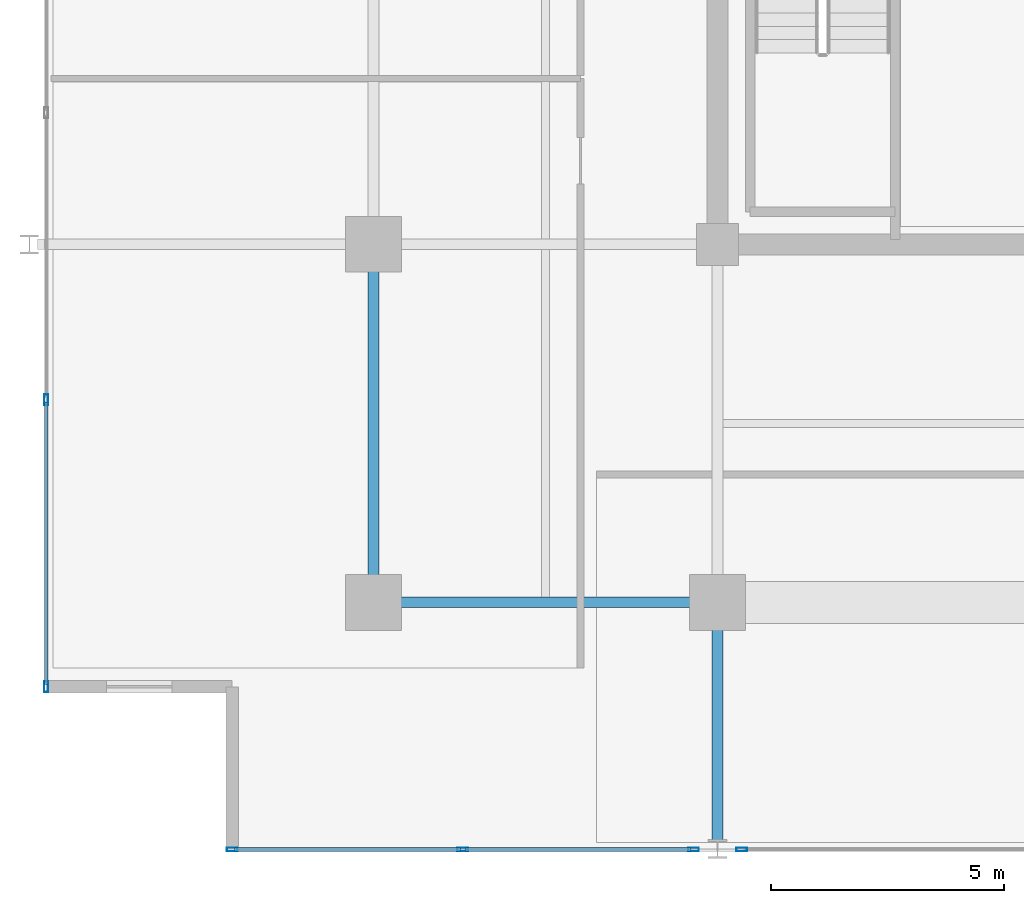
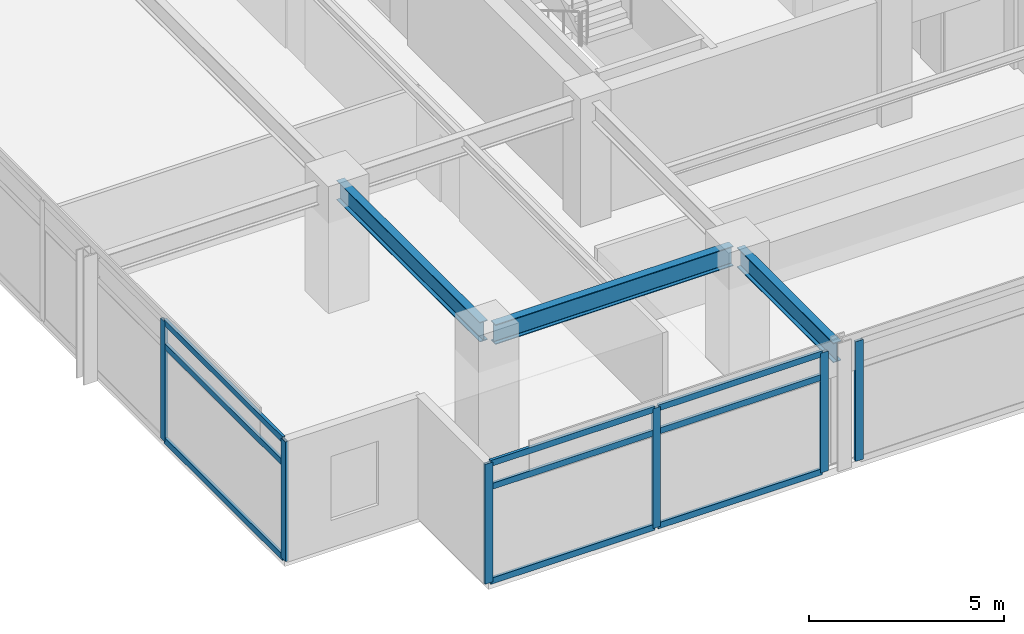
# One storey, part 2 of 20: 15 members, 3 beams, 3 elements without a shape of their own.
"""IFC4 building model written with IfcOpenShell, lengths in metres."""

import ifcopenshell
import ifcopenshell.guid

model = None  # the IFC model being written
_history = None  # IfcOwnerHistory: only IFC2X3 demands one
_inside = {}  # id of a spatial element -> (the spatial element, [elements in it])
_under = {}  # id of a project, library or spatial element -> (it, [spatial elements below it])
_declared = {}  # id of a project -> (the project, [libraries it declares])
_typed = {}  # id of a type object -> (the type object, [elements of that type])
_made_of = {}  # id of a material, layer set ... -> (it, [elements and type objects made of it])


def new_model(schema):
    """Start an empty IFC model of exactly this schema.

    Asked for "IFC4X3", IfcOpenShell would pick the latest addendum, in which some entities
    have other attributes; the version numbers below select the first issue.
    IFC2X3 requires an IfcOwnerHistory on every rooted entity: one is made here for all.
    """
    global model, _history
    if schema == "IFC4X3":
        model = ifcopenshell.file(schema_version=(4, 3, 0, 0))
    else:
        model = ifcopenshell.file(schema=schema)
    _inside.clear()
    _under.clear()
    _declared.clear()
    _typed.clear()
    _made_of.clear()
    _history = None
    if model.schema == "IFC2X3":
        org = make("IfcOrganization", Name="unknown")
        user = make(
            "IfcPersonAndOrganization",
            ThePerson=make("IfcPerson", FamilyName="unknown"),
            TheOrganization=org,
        )
        app = make(
            "IfcApplication",
            ApplicationDeveloper=org,
            Version="unknown",
            ApplicationFullName="unknown",
            ApplicationIdentifier="unknown",
        )
        _history = make(
            "IfcOwnerHistory",
            OwningUser=user,
            OwningApplication=app,
            ChangeAction="ADDED",
            CreationDate=0,
        )
    return model


def make(cls, **values):
    """One entity of the class cls with the attributes given. An attribute that is None is left unset."""
    return model.create_entity(
        cls, **{name: value for name, value in values.items() if value is not None}
    )


def rooted(cls, **values):
    """An entity with a GlobalId (a new one), such as an element, a storey or a relation."""
    return make(cls, GlobalId=ifcopenshell.guid.new(), OwnerHistory=_history, **values)


def si_unit(unit_type, name, prefix=None):
    """IfcSIUnit, for example si_unit("LENGTHUNIT", "METRE", prefix="MILLI")."""
    return make("IfcSIUnit", UnitType=unit_type, Prefix=prefix, Name=name)


def assignment(units):
    """IfcUnitAssignment: the units of a project."""
    return None if units is None else make("IfcUnitAssignment", Units=units)


def point(xyz):
    """IfcCartesianPoint."""
    return None if xyz is None else make("IfcCartesianPoint", Coordinates=xyz)


def direction(xyz):
    """IfcDirection."""
    return None if xyz is None else make("IfcDirection", DirectionRatios=xyz)


def frame(location, z_axis=None, x_axis=None):
    """IfcAxis2Placement3D, a coordinate frame: its origin and axes. An axis left out is left unset."""
    return make(
        "IfcAxis2Placement3D",
        Location=point(location),
        Axis=direction(z_axis),
        RefDirection=direction(x_axis),
    )


def frame_2d(location, x_axis=None):
    """IfcAxis2Placement2D, a coordinate frame in the plane: its origin and x axis."""
    return make(
        "IfcAxis2Placement2D", Location=point(location), RefDirection=direction(x_axis)
    )


def origin():
    """The frame at (0, 0, 0) with its axes left unset."""
    return frame((0.0, 0.0, 0.0))


def origin_2d():
    """The frame at (0, 0) in the plane with its x axis left unset."""
    return frame_2d((0.0, 0.0))


def place(relative_to, where):
    """IfcLocalPlacement: puts the frame where relative to a parent placement (None: the world)."""
    return make(
        "IfcLocalPlacement", PlacementRelTo=relative_to, RelativePlacement=where
    )


def context(
    kind, dimensions, precision=None, world=None, true_north=None, identifier=None
):
    """IfcGeometricRepresentationContext, for example the 3D "Model" context."""
    return make(
        "IfcGeometricRepresentationContext",
        ContextIdentifier=identifier,
        ContextType=kind,
        CoordinateSpaceDimension=dimensions,
        Precision=precision,
        WorldCoordinateSystem=world,
        TrueNorth=true_north,
    )


def subcontext(parent, identifier, kind, view, scale=None):
    """IfcGeometricRepresentationSubContext, for example "Body" below "Model"."""
    return make(
        "IfcGeometricRepresentationSubContext",
        ContextIdentifier=identifier,
        ContextType=kind,
        ParentContext=parent,
        TargetScale=scale,
        TargetView=view,
    )


def project(units=None, contexts=None):
    """IfcProject with its units and contexts."""
    return rooted(
        "IfcProject",
        Name="project",
        RepresentationContexts=contexts,
        UnitsInContext=assignment(units),
    )


def spatial(cls, under=None, at=None, **own):
    """A site, building, storey or space (cls), placed at a placement, below another one or the project."""
    s = rooted(cls, ObjectPlacement=at, **own)
    if under is not None:
        _under.setdefault(under.id(), (under, []))[1].append(s)
    return s


def profile(cls, at=None, kind="AREA", **sizes):
    """A parametric profile (cls). Its sizes go by their IFC names, for example OverallWidth=200.0."""
    return make(cls, ProfileType=kind, Position=at, **sizes)


def hollow_rectangle(**sizes):
    """IfcRectangleHollowProfileDef."""
    return profile("IfcRectangleHollowProfileDef", **sizes)


def i_section(**sizes):
    """IfcIShapeProfileDef."""
    return profile("IfcIShapeProfileDef", **sizes)


def extrude(swept, where, along, depth):
    """IfcExtrudedAreaSolid: the profile swept, set in the frame where, extruded along a direction by depth."""
    return make(
        "IfcExtrudedAreaSolid",
        SweptArea=swept,
        Position=where,
        ExtrudedDirection=direction(along),
        Depth=depth,
    )


def shape(context_of_items, identifier, shape_type, items):
    """IfcShapeRepresentation: the items that make up one representation, for example the "Body"."""
    return make(
        "IfcShapeRepresentation",
        ContextOfItems=context_of_items,
        RepresentationIdentifier=identifier,
        RepresentationType=shape_type,
        Items=items,
    )


def material(Name=None, Category=None):
    """IfcMaterial."""
    return make("IfcMaterial", Name=Name, Category=Category)


def material_profile(
    of_material, cross_section, Name=None, Category=None, Priority=None
):
    """IfcMaterialProfile: a cross section and its material."""
    return make(
        "IfcMaterialProfile",
        Name=Name,
        Material=of_material,
        Profile=cross_section,
        Priority=Priority,
        Category=Category,
    )


def profile_set(profiles, Name=None, composite=None):
    """IfcMaterialProfileSet."""
    return make(
        "IfcMaterialProfileSet",
        Name=Name,
        MaterialProfiles=profiles,
        CompositeProfile=composite,
    )


def made_of(thing, what):
    """Note that an element or type object is made of a material, layer set ...; save() writes the relation."""
    if what is not None:
        _made_of.setdefault(what.id(), (what, []))[1].append(thing)
    return thing


def type_object(cls, material=None, **own):
    """A type object (cls), such as IfcWallType, which elements share."""
    return made_of(rooted(cls, **own), material)


def element(
    cls,
    number,
    at=None,
    inside=None,
    cuts=None,
    type_object=None,
    material=None,
    context=None,
    identifier="Body",
    shape_type=None,
    held_by="IfcProductDefinitionShape",
    body=None,
    shapes=None,
    **own,
):
    """One element of the class cls, such as IfcWall. Its Tag is "e" and its number.

    at: its placement. inside: the storey or other place that contains it. cuts: it is an
    opening in that element (IfcRelVoidsElement). A single representation is given by context,
    identifier, shape_type and body (its items); several are given by shapes. held_by: the class
    of the entity that holds the representations. save() writes the other relations.
    """
    e = rooted(cls, Tag="e%d" % number, ObjectPlacement=at, **own)
    if body is not None:
        shapes = [shape(context, identifier, shape_type, body)]
    if shapes is not None:
        e.Representation = make(held_by, Representations=shapes)
    if inside is not None:
        _inside.setdefault(inside.id(), (inside, []))[1].append(e)
    if cuts is not None:
        rooted(
            "IfcRelVoidsElement", RelatingBuildingElement=cuts, RelatedOpeningElement=e
        )
    if type_object is not None:
        _typed.setdefault(type_object.id(), (type_object, []))[1].append(e)
    return made_of(e, material)


def aggregate(whole, parts):
    """IfcRelAggregates: a whole, such as a stair, and the parts it consists of."""
    return rooted("IfcRelAggregates", RelatingObject=whole, RelatedObjects=parts)


def save(model, path):
    """Write the relations noted so far, then the file.

    IfcRelAggregates (storeys below a building ...), IfcRelContainedInSpatialStructure (elements
    in a storey), IfcRelDefinesByType, IfcRelAssociatesMaterial and IfcRelDeclares: one each for
    every whole, place, type object, material and project.
    """
    for whole, parts in _under.values():
        aggregate(whole, parts)
    for where, things in _inside.values():
        rooted(
            "IfcRelContainedInSpatialStructure",
            RelatedElements=things,
            RelatingStructure=where,
        )
    for kind, things in _typed.values():
        rooted("IfcRelDefinesByType", RelatedObjects=things, RelatingType=kind)
    for what, things in _made_of.values():
        rooted("IfcRelAssociatesMaterial", RelatedObjects=things, RelatingMaterial=what)
    for by, libraries in _declared.values():
        rooted("IfcRelDeclares", RelatingContext=by, RelatedDefinitions=libraries)
    model.write(path)


model = new_model("IFC4")

# Units and contexts
model_context = context("Model", 3, precision=1e-05, world=origin(), true_north=direction((0.0, 1.0)))
body_context = subcontext(model_context, "Body", "Model", "MODEL_VIEW")
ifc_project = project(units=[si_unit("LENGTHUNIT", "METRE"), si_unit("AREAUNIT", "SQUARE_METRE"), si_unit("VOLUMEUNIT", "CUBIC_METRE"), si_unit("PLANEANGLEUNIT", "RADIAN"), si_unit("MASSUNIT", "GRAM", prefix="KILO")], contexts=[model_context])

# Site, building, storey
site_placement = place(None, origin())
site = spatial("IfcSite", under=ifc_project, at=site_placement, CompositionType="ELEMENT")
building_placement = place(site_placement, origin())
building = spatial("IfcBuilding", under=site, at=building_placement, Name="Kovane Verandah Tower", CompositionType="ELEMENT")
storey_placement = place(building_placement, frame((0.0, 0.0, 287.199951171875)))
storey = spatial("IfcBuildingStorey", under=building, at=storey_placement, Name="L67", CompositionType="ELEMENT", Elevation=287.199951171875)

# Beams
ifc_material_1 = material(Name="Steel S355", Category="steel")
ifc_material_profile_1 = material_profile(ifc_material_1, i_section(OverallWidth=0.230224609375, OverallDepth=0.6171875, WebThickness=0.01318359375, FlangeThickness=0.022216796875, FilletRadius=0.0126953125, at=origin_2d()), Name="UB610x229x140")
ifc_profile_set_1 = profile_set([ifc_material_profile_1], Name="Steel S355")
beam_type = type_object("IfcBeamType", Name="BM-UB610x140", PredefinedType="BEAM", material=ifc_profile_set_1)
beam_1_placement = place(storey_placement, frame((21.780029296875, 10.800048828125, 3.4765625), z_axis=(1.0, 0.0, 0.0), x_axis=(0.0, 1.0, 0.0)))
element("IfcBeam", 1, at=beam_1_placement, inside=storey, type_object=beam_type, Name="L67 Primary Tower Girder G-RS1", PredefinedType="BEAM", context=body_context, shape_type="SweptSolid", body=[
    extrude(i_section(OverallWidth=0.230224609375, OverallDepth=0.6171875, WebThickness=0.01318359375, FlangeThickness=0.022216796875, FilletRadius=0.0126953125, at=origin_2d()), origin(), (0.0, 0.0, 1.0), 7.0400390625),
])
beam_2_placement = place(storey_placement, frame((21.60009765625, 10.97998046875, 3.4765625), z_axis=(0.0, 1.0, 0.0), x_axis=(-1.0, 0.0, 0.0)))
element("IfcBeam", 2, at=beam_2_placement, inside=storey, type_object=beam_type, Name="L67 Primary Tower Girder G-RW1", PredefinedType="BEAM", context=body_context, shape_type="SweptSolid", body=[
    extrude(i_section(OverallWidth=0.230224609375, OverallDepth=0.6171875, WebThickness=0.01318359375, FlangeThickness=0.022216796875, FilletRadius=0.0126953125, at=origin_2d()), origin(), (0.0, 0.0, 1.0), 7.340087890625),
])
beam_3_placement = place(storey_placement, frame((29.0, 10.6201171875, 3.451416015625), z_axis=(0.0, -1.0, 0.0), x_axis=(1.0, 0.0, 0.0)))
element("IfcBeam", 3, at=beam_3_placement, inside=storey, type_object=beam_type, Name="L67 Primary Tower Girder G-VS1", PredefinedType="BEAM", context=body_context, shape_type="SweptSolid", body=[
    extrude(i_section(OverallWidth=0.230224609375, OverallDepth=0.6171875, WebThickness=0.01318359375, FlangeThickness=0.022216796875, FilletRadius=0.0126953125, at=origin_2d()), origin(), (0.0, 0.0, 1.0), 4.940185546875),
])

# Curtain wall, members
ifc_material_2 = material(Name="Champagne Anodised Aluminium Frame with Low-E Clear Laminated Glass", Category="aluminium")
curtain_wall_type = type_object("IfcCurtainWallType", Name="CW-SYS-05-HIGH", PredefinedType="NOTDEFINED", material=ifc_material_2)
curtain_wall_1_placement = place(storey_placement, origin())
curtain_wall_1 = element("IfcCurtainWall", 4, at=curtain_wall_1_placement, inside=storey, type_object=curtain_wall_type, Name="L67 S Unitised Curtain Wall-1", PredefinedType="NOTDEFINED")
ifc_material_3 = material(Name="Champagne Anodised Aluminium 6063-T6", Category="aluminium")
ifc_material_profile_2 = material_profile(ifc_material_3, hollow_rectangle(XDim=0.0849609375, YDim=0.22998046875, WallThickness=0.00390625, at=origin_2d()), Name="AL85x230x4")
ifc_profile_set_2 = profile_set([ifc_material_profile_2], Name="Champagne Anodised Aluminium 6063-T6")
member_type_1 = type_object("IfcMemberType", Name="CW-MUL-85x230", PredefinedType="MULLION", material=ifc_profile_set_2)
member_1_placement = place(storey_placement, frame((18.5625, 5.485595703125, 0.02001953125), z_axis=(0.0, 0.0, 1.0), x_axis=(0.0, -1.0, 0.0)))
member_1 = element("IfcMember", 5, at=member_1_placement, type_object=member_type_1, Name="L67 S Unitised Curtain Wall-1 Mullion 1", PredefinedType="MULLION", context=body_context, shape_type="SweptSolid", body=[
    extrude(hollow_rectangle(XDim=0.0849609375, YDim=0.22998046875, WallThickness=0.00390625, at=origin_2d()), origin(), (0.0, 0.0, 1.0), 3.7451171875),
])
member_2_placement = place(storey_placement, frame((23.521240234375, 5.485595703125, 0.02001953125), z_axis=(0.0, 0.0, 1.0), x_axis=(0.0, -1.0, 0.0)))
member_2 = element("IfcMember", 6, at=member_2_placement, type_object=member_type_1, Name="L67 S Unitised Curtain Wall-1 Mullion 2", PredefinedType="MULLION", context=body_context, shape_type="SweptSolid", body=[
    extrude(hollow_rectangle(XDim=0.0849609375, YDim=0.22998046875, WallThickness=0.00390625, at=origin_2d()), origin(), (0.0, 0.0, 1.0), 3.7451171875),
])
member_3_placement = place(storey_placement, frame((28.47998046875, 5.485595703125, 0.02001953125), z_axis=(0.0, 0.0, 1.0), x_axis=(0.0, -1.0, 0.0)))
member_3 = element("IfcMember", 7, at=member_3_placement, type_object=member_type_1, Name="L67 S Unitised Curtain Wall-1 Mullion 3", PredefinedType="MULLION", context=body_context, shape_type="SweptSolid", body=[
    extrude(hollow_rectangle(XDim=0.0849609375, YDim=0.22998046875, WallThickness=0.00390625, at=origin_2d()), origin(), (0.0, 0.0, 1.0), 3.7451171875),
])

# Curtain wall, member
curtain_wall_2_placement = place(storey_placement, origin())
curtain_wall_2 = element("IfcCurtainWall", 8, at=curtain_wall_2_placement, inside=storey, type_object=curtain_wall_type, Name="L67 S Unitised Curtain Wall-2", PredefinedType="NOTDEFINED")
member_4_placement = place(storey_placement, frame((29.52001953125, 5.485595703125, 0.02001953125), z_axis=(0.0, 0.0, 1.0), x_axis=(0.0, -1.0, 0.0)))
member_4 = element("IfcMember", 9, at=member_4_placement, type_object=member_type_1, Name="L67 S Unitised Curtain Wall-2 Mullion 1", PredefinedType="MULLION", context=body_context, shape_type="SweptSolid", body=[
    extrude(hollow_rectangle(XDim=0.0849609375, YDim=0.22998046875, WallThickness=0.00390625, at=origin_2d()), origin(), (0.0, 0.0, 1.0), 3.7451171875),
])
aggregate(curtain_wall_2, [member_4])

# Curtain wall, members
curtain_wall_3_placement = place(storey_placement, origin())
curtain_wall_3 = element("IfcCurtainWall", 10, at=curtain_wall_3_placement, inside=storey, type_object=curtain_wall_type, Name="L67 W Unitised Curtain Wall", PredefinedType="NOTDEFINED")
member_5_placement = place(storey_placement, frame((14.5625, 15.156982421875, 0.02001953125), z_axis=(0.0, 0.0, 1.0), x_axis=(-1.0, 0.0, 0.0)))
member_5 = element("IfcMember", 11, at=member_5_placement, type_object=member_type_1, Name="L67 W Unitised Curtain Wall Mullion 6", PredefinedType="MULLION", context=body_context, shape_type="SweptSolid", body=[
    extrude(hollow_rectangle(XDim=0.0849609375, YDim=0.22998046875, WallThickness=0.00390625, at=origin_2d()), origin(), (0.0, 0.0, 1.0), 3.7451171875),
])
member_6_placement = place(storey_placement, frame((14.5625, 8.985595703125, 0.02001953125), z_axis=(0.0, 0.0, 1.0), x_axis=(-1.0, 0.0, 0.0)))
member_6 = element("IfcMember", 12, at=member_6_placement, type_object=member_type_1, Name="L67 W Unitised Curtain Wall Mullion 7", PredefinedType="MULLION", context=body_context, shape_type="SweptSolid", body=[
    extrude(hollow_rectangle(XDim=0.0849609375, YDim=0.22998046875, WallThickness=0.00390625, at=origin_2d()), origin(), (0.0, 0.0, 1.0), 3.7451171875),
])

# Member
ifc_material_profile_3 = material_profile(ifc_material_3, hollow_rectangle(XDim=0.0849609375, YDim=0.18994140625, WallThickness=0.00390625, at=origin_2d()), Name="AL85x190x4")
ifc_profile_set_3 = profile_set([ifc_material_profile_3], Name="Champagne Anodised Aluminium 6063-T6")
member_type_2 = type_object("IfcMemberType", Name="CW-TRN-85x190", PredefinedType="USERDEFINED", material=ifc_profile_set_3)
member_7_placement = place(storey_placement, frame((18.612548828125, 5.485595703125, 0.050048828125), z_axis=(1.0, 0.0, 0.0), x_axis=(0.0, 1.0, 0.0)))
member_7 = element("IfcMember", 13, at=member_7_placement, type_object=member_type_2, Name="L67 S Unitised Curtain Wall-1 Transom TB Bay 1", ObjectType="TRANSOM", PredefinedType="USERDEFINED", context=body_context, shape_type="SweptSolid", body=[
    extrude(hollow_rectangle(XDim=0.0849609375, YDim=0.18994140625, WallThickness=0.00390625, at=origin_2d()), origin(), (0.0, 0.0, 1.0), 4.858642578125),
])

member_8_placement = place(storey_placement, frame((18.612548828125, 5.485595703125, 3.005126953125), z_axis=(1.0, 0.0, 0.0), x_axis=(0.0, 1.0, 0.0)))
member_8 = element("IfcMember", 14, at=member_8_placement, type_object=member_type_2, Name="L67 S Unitised Curtain Wall-1 Transom TM Bay 1", ObjectType="TRANSOM", PredefinedType="USERDEFINED", context=body_context, shape_type="SweptSolid", body=[
    extrude(hollow_rectangle(XDim=0.0849609375, YDim=0.18994140625, WallThickness=0.00390625, at=origin_2d()), origin(), (0.0, 0.0, 1.0), 4.858642578125),
])

member_9_placement = place(storey_placement, frame((18.612548828125, 5.485595703125, 3.735107421875), z_axis=(1.0, 0.0, 0.0), x_axis=(0.0, 1.0, 0.0)))
member_9 = element("IfcMember", 15, at=member_9_placement, type_object=member_type_2, Name="L67 S Unitised Curtain Wall-1 Transom TT Bay 1", ObjectType="TRANSOM", PredefinedType="USERDEFINED", context=body_context, shape_type="SweptSolid", body=[
    extrude(hollow_rectangle(XDim=0.0849609375, YDim=0.18994140625, WallThickness=0.00390625, at=origin_2d()), origin(), (0.0, 0.0, 1.0), 4.858642578125),
])

member_10_placement = place(storey_placement, frame((23.5712890625, 5.485595703125, 0.050048828125), z_axis=(1.0, 0.0, 0.0), x_axis=(0.0, 1.0, 0.0)))
member_10 = element("IfcMember", 16, at=member_10_placement, type_object=member_type_2, Name="L67 S Unitised Curtain Wall-1 Transom TB Bay 2", ObjectType="TRANSOM", PredefinedType="USERDEFINED", context=body_context, shape_type="SweptSolid", body=[
    extrude(hollow_rectangle(XDim=0.0849609375, YDim=0.18994140625, WallThickness=0.00390625, at=origin_2d()), origin(), (0.0, 0.0, 1.0), 4.858642578125),
])

member_11_placement = place(storey_placement, frame((23.5712890625, 5.485595703125, 3.005126953125), z_axis=(1.0, 0.0, 0.0), x_axis=(0.0, 1.0, 0.0)))
member_11 = element("IfcMember", 17, at=member_11_placement, type_object=member_type_2, Name="L67 S Unitised Curtain Wall-1 Transom TM Bay 2", ObjectType="TRANSOM", PredefinedType="USERDEFINED", context=body_context, shape_type="SweptSolid", body=[
    extrude(hollow_rectangle(XDim=0.0849609375, YDim=0.18994140625, WallThickness=0.00390625, at=origin_2d()), origin(), (0.0, 0.0, 1.0), 4.858642578125),
])

member_12_placement = place(storey_placement, frame((23.5712890625, 5.485595703125, 3.735107421875), z_axis=(1.0, 0.0, 0.0), x_axis=(0.0, 1.0, 0.0)))
member_12 = element("IfcMember", 18, at=member_12_placement, type_object=member_type_2, Name="L67 S Unitised Curtain Wall-1 Transom TT Bay 2", ObjectType="TRANSOM", PredefinedType="USERDEFINED", context=body_context, shape_type="SweptSolid", body=[
    extrude(hollow_rectangle(XDim=0.0849609375, YDim=0.18994140625, WallThickness=0.00390625, at=origin_2d()), origin(), (0.0, 0.0, 1.0), 4.858642578125),
])

aggregate(curtain_wall_1, [member_1, member_2, member_3, member_7, member_8, member_9, member_10, member_11, member_12])

member_13_placement = place(storey_placement, frame((14.5625, 15.107177734375, 0.050048828125), z_axis=(0.0, -1.0, 0.0), x_axis=(1.0, 0.0, 0.0)))
member_13 = element("IfcMember", 19, at=member_13_placement, type_object=member_type_2, Name="L67 W Unitised Curtain Wall Transom TB Bay 6", ObjectType="TRANSOM", PredefinedType="USERDEFINED", context=body_context, shape_type="SweptSolid", body=[
    extrude(hollow_rectangle(XDim=0.0849609375, YDim=0.18994140625, WallThickness=0.00390625, at=origin_2d()), origin(), (0.0, 0.0, 1.0), 6.071533203125),
])

member_14_placement = place(storey_placement, frame((14.5625, 15.107177734375, 3.005126953125), z_axis=(0.0, -1.0, 0.0), x_axis=(1.0, 0.0, 0.0)))
member_14 = element("IfcMember", 20, at=member_14_placement, type_object=member_type_2, Name="L67 W Unitised Curtain Wall Transom TM Bay 6", ObjectType="TRANSOM", PredefinedType="USERDEFINED", context=body_context, shape_type="SweptSolid", body=[
    extrude(hollow_rectangle(XDim=0.0849609375, YDim=0.18994140625, WallThickness=0.00390625, at=origin_2d()), origin(), (0.0, 0.0, 1.0), 6.071533203125),
])

member_15_placement = place(storey_placement, frame((14.5625, 15.107177734375, 3.735107421875), z_axis=(0.0, -1.0, 0.0), x_axis=(1.0, 0.0, 0.0)))
member_15 = element("IfcMember", 21, at=member_15_placement, type_object=member_type_2, Name="L67 W Unitised Curtain Wall Transom TT Bay 6", ObjectType="TRANSOM", PredefinedType="USERDEFINED", context=body_context, shape_type="SweptSolid", body=[
    extrude(hollow_rectangle(XDim=0.0849609375, YDim=0.18994140625, WallThickness=0.00390625, at=origin_2d()), origin(), (0.0, 0.0, 1.0), 6.071533203125),
])

aggregate(curtain_wall_3, [member_5, member_6, member_13, member_14, member_15])

save(model, "model.ifc")
